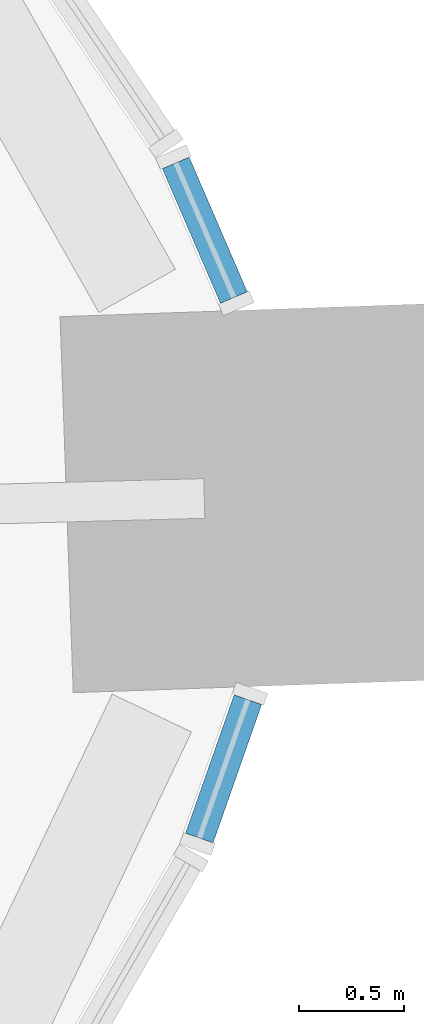
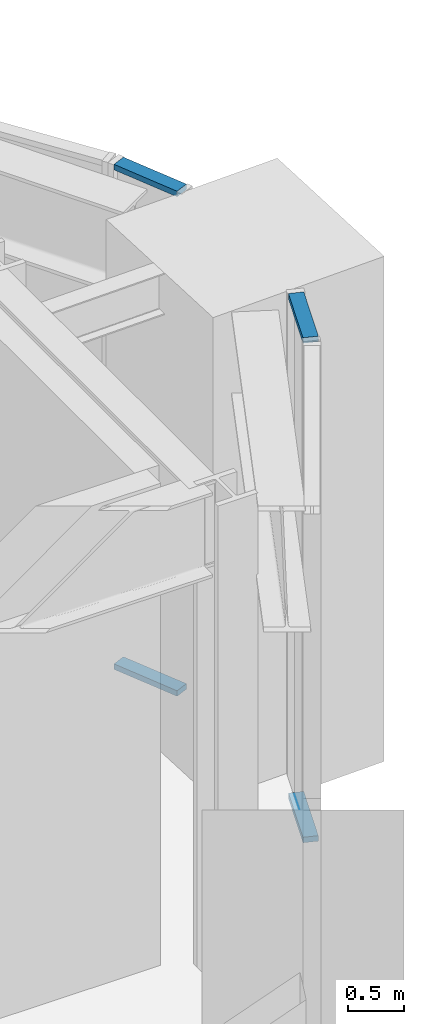
# One storey, part 13 of 30: 4 members, 2 elements without a shape of their own.
"""IFC4 building model written with IfcOpenShell, lengths in metres."""

from ifc_helpers import new_model, si_unit, direction, frame, origin, origin_2d, place, context, subcontext, project, spatial, rectangle, extrude, material, material_profile, profile_set, type_object, element, aggregate, save


model = new_model("IFC4")

# Units and contexts
model_context = context("Model", 3, precision=1e-05, world=origin(), true_north=direction((0.0, 1.0)))
body_context = subcontext(model_context, "Body", "Model", "MODEL_VIEW")
ifc_project = project(units=[si_unit("LENGTHUNIT", "METRE"), si_unit("AREAUNIT", "SQUARE_METRE"), si_unit("VOLUMEUNIT", "CUBIC_METRE"), si_unit("PLANEANGLEUNIT", "RADIAN"), si_unit("MASSUNIT", "GRAM", prefix="KILO")], contexts=[model_context])

# Site, building, storey
site_placement = place(None, origin())
site = spatial("IfcSite", under=ifc_project, at=site_placement, CompositionType="ELEMENT")
building_placement = place(site_placement, origin())
building = spatial("IfcBuilding", under=site, at=building_placement, Name="Tarnside Tower", CompositionType="ELEMENT")
storey_placement = place(building_placement, frame((0.0, 0.0, 15.0)))
storey = spatial("IfcBuildingStorey", under=building, at=storey_placement, Name="L02", CompositionType="ELEMENT", Elevation=15.0)

# Curtain wall, members
ifc_material_1 = material(Name="Retail shopfront glazing wall", Category="glass")
curtain_wall_type = type_object("IfcCurtainWallType", Name="Retail shopfront glazing wall", PredefinedType="NOTDEFINED", material=ifc_material_1)
curtain_wall_1_placement = place(storey_placement, origin())
curtain_wall_1 = element("IfcCurtainWall", 1, at=curtain_wall_1_placement, inside=storey, type_object=curtain_wall_type, Name="Retail shopfront glazing L02 18.1", PredefinedType="NOTDEFINED")
ifc_material_2 = material(Name="Aluminium alloy 6063", Category="aluminium")
ifc_material_profile = material_profile(ifc_material_2, rectangle(XDim=0.139892578125, YDim=0.06005859375, at=origin_2d()), Name="Retail shopfront glazing transom 60 x 140")
ifc_profile_set = profile_set([ifc_material_profile], Name="Aluminium alloy 6063")
member_type = type_object("IfcMemberType", Name="Retail shopfront glazing transom 60 x 140", PredefinedType="USERDEFINED", material=ifc_profile_set)
member_1_placement = place(storey_placement, frame((33.419921875, -0.449951171875, -0.219970703125), z_axis=(0.331017029232, 0.943624780492, 0.0), x_axis=(-0.943624780492, 0.331017029232, 0.0)))
member_1 = element("IfcMember", 2, at=member_1_placement, type_object=member_type, Name="CW2 transom 1.1", ObjectType="TRANSOM", PredefinedType="USERDEFINED", context=body_context, shape_type="SweptSolid", body=[
    extrude(rectangle(XDim=0.139892578125, YDim=0.06005859375, at=origin_2d()), origin(), (0.0, 0.0, 1.0), 0.701416015625),
])
member_2_placement = place(storey_placement, frame((33.419921875, -0.449951171875, 5.219970703125), z_axis=(0.331017029232, 0.943624780492, 0.0), x_axis=(-0.943624780492, 0.331017029232, 0.0)))
member_2 = element("IfcMember", 3, at=member_2_placement, type_object=member_type, Name="CW2 transom 1.2", ObjectType="TRANSOM", PredefinedType="USERDEFINED", context=body_context, shape_type="SweptSolid", body=[
    extrude(rectangle(XDim=0.139892578125, YDim=0.06005859375, at=origin_2d()), origin(), (0.0, 0.0, 1.0), 0.701416015625),
])
aggregate(curtain_wall_1, [member_1, member_2])

curtain_wall_2_placement = place(storey_placement, origin())
curtain_wall_2 = element("IfcCurtainWall", 4, at=curtain_wall_2_placement, inside=storey, type_object=curtain_wall_type, Name="Retail shopfront glazing L02 19.0", PredefinedType="NOTDEFINED")
member_3_placement = place(storey_placement, frame((33.5849609375, 2.135986328125, -0.219970703125), z_axis=(-0.396102619684, 0.918206248443, 0.0), x_axis=(-0.918206248443, -0.396102619684, 0.0)))
member_3 = element("IfcMember", 5, at=member_3_placement, type_object=member_type, Name="CW2 transom 1.1", ObjectType="TRANSOM", PredefinedType="USERDEFINED", context=body_context, shape_type="SweptSolid", body=[
    extrude(rectangle(XDim=0.139892578125, YDim=0.06005859375, at=origin_2d()), origin(), (0.0, 0.0, 1.0), 0.701416015625),
])
member_4_placement = place(storey_placement, frame((33.5849609375, 2.135986328125, 5.219970703125), z_axis=(-0.396102619684, 0.918206248443, 0.0), x_axis=(-0.918206248443, -0.396102619684, 0.0)))
member_4 = element("IfcMember", 6, at=member_4_placement, type_object=member_type, Name="CW2 transom 1.2", ObjectType="TRANSOM", PredefinedType="USERDEFINED", context=body_context, shape_type="SweptSolid", body=[
    extrude(rectangle(XDim=0.139892578125, YDim=0.06005859375, at=origin_2d()), origin(), (0.0, 0.0, 1.0), 0.701416015625),
])
aggregate(curtain_wall_2, [member_3, member_4])

save(model, "model.ifc")
